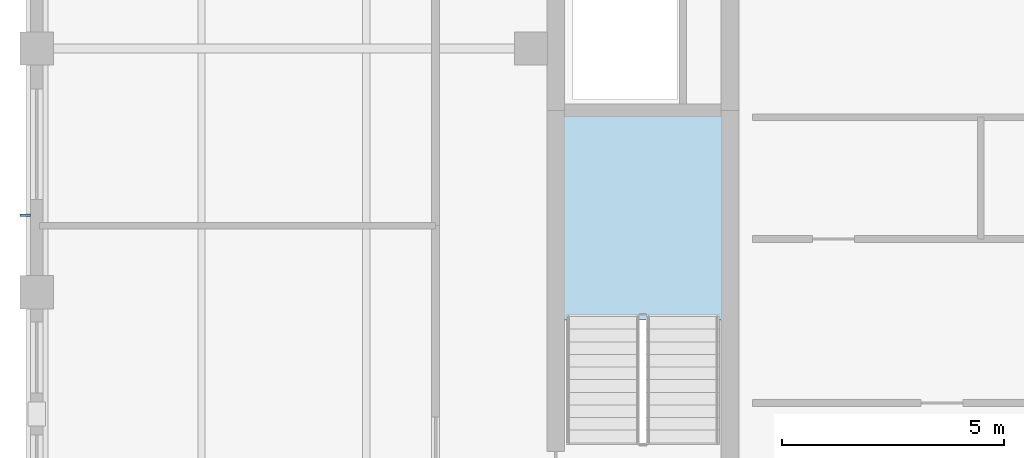
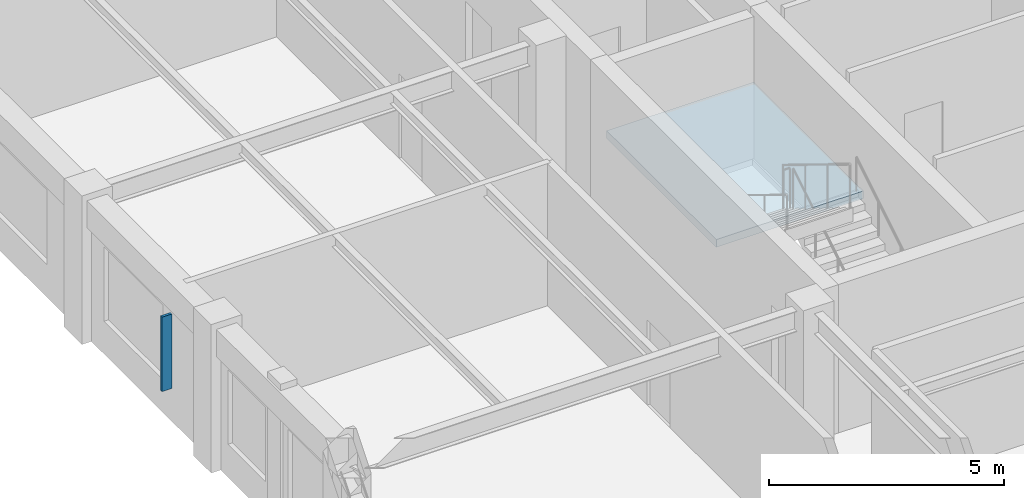
# One storey, part 3 of 10: 1 plate, 1 slab, 1 element without a shape of its own.
"""IFC4 building model written with IfcOpenShell, lengths in metres."""

import ifcopenshell
import ifcopenshell.guid

model = None  # the IFC model being written
_history = None  # IfcOwnerHistory: only IFC2X3 demands one
_inside = {}  # id of a spatial element -> (the spatial element, [elements in it])
_under = {}  # id of a project, library or spatial element -> (it, [spatial elements below it])
_declared = {}  # id of a project -> (the project, [libraries it declares])
_typed = {}  # id of a type object -> (the type object, [elements of that type])
_made_of = {}  # id of a material, layer set ... -> (it, [elements and type objects made of it])


def new_model(schema):
    """Start an empty IFC model of exactly this schema.

    Asked for "IFC4X3", IfcOpenShell would pick the latest addendum, in which some entities
    have other attributes; the version numbers below select the first issue.
    IFC2X3 requires an IfcOwnerHistory on every rooted entity: one is made here for all.
    """
    global model, _history
    if schema == "IFC4X3":
        model = ifcopenshell.file(schema_version=(4, 3, 0, 0))
    else:
        model = ifcopenshell.file(schema=schema)
    _inside.clear()
    _under.clear()
    _declared.clear()
    _typed.clear()
    _made_of.clear()
    _history = None
    if model.schema == "IFC2X3":
        org = make("IfcOrganization", Name="unknown")
        user = make(
            "IfcPersonAndOrganization",
            ThePerson=make("IfcPerson", FamilyName="unknown"),
            TheOrganization=org,
        )
        app = make(
            "IfcApplication",
            ApplicationDeveloper=org,
            Version="unknown",
            ApplicationFullName="unknown",
            ApplicationIdentifier="unknown",
        )
        _history = make(
            "IfcOwnerHistory",
            OwningUser=user,
            OwningApplication=app,
            ChangeAction="ADDED",
            CreationDate=0,
        )
    return model


def make(cls, **values):
    """One entity of the class cls with the attributes given. An attribute that is None is left unset."""
    return model.create_entity(
        cls, **{name: value for name, value in values.items() if value is not None}
    )


def rooted(cls, **values):
    """An entity with a GlobalId (a new one), such as an element, a storey or a relation."""
    return make(cls, GlobalId=ifcopenshell.guid.new(), OwnerHistory=_history, **values)


def si_unit(unit_type, name, prefix=None):
    """IfcSIUnit, for example si_unit("LENGTHUNIT", "METRE", prefix="MILLI")."""
    return make("IfcSIUnit", UnitType=unit_type, Prefix=prefix, Name=name)


def assignment(units):
    """IfcUnitAssignment: the units of a project."""
    return None if units is None else make("IfcUnitAssignment", Units=units)


def point(xyz):
    """IfcCartesianPoint."""
    return None if xyz is None else make("IfcCartesianPoint", Coordinates=xyz)


def direction(xyz):
    """IfcDirection."""
    return None if xyz is None else make("IfcDirection", DirectionRatios=xyz)


def frame(location, z_axis=None, x_axis=None):
    """IfcAxis2Placement3D, a coordinate frame: its origin and axes. An axis left out is left unset."""
    return make(
        "IfcAxis2Placement3D",
        Location=point(location),
        Axis=direction(z_axis),
        RefDirection=direction(x_axis),
    )


def frame_2d(location, x_axis=None):
    """IfcAxis2Placement2D, a coordinate frame in the plane: its origin and x axis."""
    return make(
        "IfcAxis2Placement2D", Location=point(location), RefDirection=direction(x_axis)
    )


def origin():
    """The frame at (0, 0, 0) with its axes left unset."""
    return frame((0.0, 0.0, 0.0))


def origin_2d():
    """The frame at (0, 0) in the plane with its x axis left unset."""
    return frame_2d((0.0, 0.0))


def place(relative_to, where):
    """IfcLocalPlacement: puts the frame where relative to a parent placement (None: the world)."""
    return make(
        "IfcLocalPlacement", PlacementRelTo=relative_to, RelativePlacement=where
    )


def context(
    kind, dimensions, precision=None, world=None, true_north=None, identifier=None
):
    """IfcGeometricRepresentationContext, for example the 3D "Model" context."""
    return make(
        "IfcGeometricRepresentationContext",
        ContextIdentifier=identifier,
        ContextType=kind,
        CoordinateSpaceDimension=dimensions,
        Precision=precision,
        WorldCoordinateSystem=world,
        TrueNorth=true_north,
    )


def subcontext(parent, identifier, kind, view, scale=None):
    """IfcGeometricRepresentationSubContext, for example "Body" below "Model"."""
    return make(
        "IfcGeometricRepresentationSubContext",
        ContextIdentifier=identifier,
        ContextType=kind,
        ParentContext=parent,
        TargetScale=scale,
        TargetView=view,
    )


def project(units=None, contexts=None):
    """IfcProject with its units and contexts."""
    return rooted(
        "IfcProject",
        Name="project",
        RepresentationContexts=contexts,
        UnitsInContext=assignment(units),
    )


def spatial(cls, under=None, at=None, **own):
    """A site, building, storey or space (cls), placed at a placement, below another one or the project."""
    s = rooted(cls, ObjectPlacement=at, **own)
    if under is not None:
        _under.setdefault(under.id(), (under, []))[1].append(s)
    return s


def polyline(points):
    """IfcPolyline through the points."""
    return make("IfcPolyline", Points=[point(p) for p in points])


def profile(cls, at=None, kind="AREA", **sizes):
    """A parametric profile (cls). Its sizes go by their IFC names, for example OverallWidth=200.0."""
    return make(cls, ProfileType=kind, Position=at, **sizes)


def rectangle(**sizes):
    """IfcRectangleProfileDef."""
    return profile("IfcRectangleProfileDef", **sizes)


def outline(outer, holes=None, kind="AREA"):
    """IfcArbitraryClosedProfileDef: a profile drawn as a closed curve; with holes, ...WithVoids."""
    if holes is None:
        return make("IfcArbitraryClosedProfileDef", ProfileType=kind, OuterCurve=outer)
    return make(
        "IfcArbitraryProfileDefWithVoids",
        ProfileType=kind,
        OuterCurve=outer,
        InnerCurves=holes,
    )


def extrude(swept, where, along, depth):
    """IfcExtrudedAreaSolid: the profile swept, set in the frame where, extruded along a direction by depth."""
    return make(
        "IfcExtrudedAreaSolid",
        SweptArea=swept,
        Position=where,
        ExtrudedDirection=direction(along),
        Depth=depth,
    )


def shape(context_of_items, identifier, shape_type, items):
    """IfcShapeRepresentation: the items that make up one representation, for example the "Body"."""
    return make(
        "IfcShapeRepresentation",
        ContextOfItems=context_of_items,
        RepresentationIdentifier=identifier,
        RepresentationType=shape_type,
        Items=items,
    )


def material(Name=None, Category=None):
    """IfcMaterial."""
    return make("IfcMaterial", Name=Name, Category=Category)


def layer(
    of_material, thickness, ventilated=None, Name=None, Category=None, Priority=None
):
    """IfcMaterialLayer: one layer of a wall or slab, of a material (None: an air gap)."""
    return make(
        "IfcMaterialLayer",
        Material=of_material,
        LayerThickness=thickness,
        IsVentilated=ventilated,
        Name=Name,
        Category=Category,
        Priority=Priority,
    )


def layer_set(layers, Name=None):
    """IfcMaterialLayerSet."""
    return make("IfcMaterialLayerSet", MaterialLayers=layers, LayerSetName=Name)


def made_of(thing, what):
    """Note that an element or type object is made of a material, layer set ...; save() writes the relation."""
    if what is not None:
        _made_of.setdefault(what.id(), (what, []))[1].append(thing)
    return thing


def type_object(cls, material=None, **own):
    """A type object (cls), such as IfcWallType, which elements share."""
    return made_of(rooted(cls, **own), material)


def element(
    cls,
    number,
    at=None,
    inside=None,
    cuts=None,
    type_object=None,
    material=None,
    context=None,
    identifier="Body",
    shape_type=None,
    held_by="IfcProductDefinitionShape",
    body=None,
    shapes=None,
    **own,
):
    """One element of the class cls, such as IfcWall. Its Tag is "e" and its number.

    at: its placement. inside: the storey or other place that contains it. cuts: it is an
    opening in that element (IfcRelVoidsElement). A single representation is given by context,
    identifier, shape_type and body (its items); several are given by shapes. held_by: the class
    of the entity that holds the representations. save() writes the other relations.
    """
    e = rooted(cls, Tag="e%d" % number, ObjectPlacement=at, **own)
    if body is not None:
        shapes = [shape(context, identifier, shape_type, body)]
    if shapes is not None:
        e.Representation = make(held_by, Representations=shapes)
    if inside is not None:
        _inside.setdefault(inside.id(), (inside, []))[1].append(e)
    if cuts is not None:
        rooted(
            "IfcRelVoidsElement", RelatingBuildingElement=cuts, RelatedOpeningElement=e
        )
    if type_object is not None:
        _typed.setdefault(type_object.id(), (type_object, []))[1].append(e)
    return made_of(e, material)


def aggregate(whole, parts):
    """IfcRelAggregates: a whole, such as a stair, and the parts it consists of."""
    return rooted("IfcRelAggregates", RelatingObject=whole, RelatedObjects=parts)


def save(model, path):
    """Write the relations noted so far, then the file.

    IfcRelAggregates (storeys below a building ...), IfcRelContainedInSpatialStructure (elements
    in a storey), IfcRelDefinesByType, IfcRelAssociatesMaterial and IfcRelDeclares: one each for
    every whole, place, type object, material and project.
    """
    for whole, parts in _under.values():
        aggregate(whole, parts)
    for where, things in _inside.values():
        rooted(
            "IfcRelContainedInSpatialStructure",
            RelatedElements=things,
            RelatingStructure=where,
        )
    for kind, things in _typed.values():
        rooted("IfcRelDefinesByType", RelatedObjects=things, RelatingType=kind)
    for what, things in _made_of.values():
        rooted("IfcRelAssociatesMaterial", RelatedObjects=things, RelatingMaterial=what)
    for by, libraries in _declared.values():
        rooted("IfcRelDeclares", RelatingContext=by, RelatedDefinitions=libraries)
    model.write(path)


model = new_model("IFC4")

# Units and contexts
model_context = context("Model", 3, precision=1e-05, world=origin(), true_north=direction((0.0, 1.0)))
body_context = subcontext(model_context, "Body", "Model", "MODEL_VIEW")
ifc_project = project(units=[si_unit("LENGTHUNIT", "METRE"), si_unit("AREAUNIT", "SQUARE_METRE"), si_unit("VOLUMEUNIT", "CUBIC_METRE"), si_unit("PLANEANGLEUNIT", "RADIAN"), si_unit("MASSUNIT", "GRAM", prefix="KILO")], contexts=[model_context])

# Site, building, storey
site_placement = place(None, origin())
site = spatial("IfcSite", under=ifc_project, at=site_placement, CompositionType="ELEMENT")
building_placement = place(site_placement, origin())
building = spatial("IfcBuilding", under=site, at=building_placement, Name="Nhamokura Convention Tower", CompositionType="ELEMENT")
storey_placement = place(building_placement, frame((0.0, 0.0, 277.550048828125)))
storey = spatial("IfcBuildingStorey", under=building, at=storey_placement, Name="L68", CompositionType="ELEMENT", Elevation=277.550048828125)

# Plate
ifc_material_1 = material(Name="Anodised bronze aluminium AA6063-T6", Category="aluminium")
plate_type = type_object("IfcPlateType", Name="BronzeSolarFin_3", PredefinedType="USERDEFINED", material=ifc_material_1)
plate_placement = place(storey_placement, frame((9.239990234375, 28.237548828125, 0.849853515625), z_axis=(0.0, 0.0, 1.0), x_axis=(1.0, 0.0, 0.0)))
element("IfcPlate", 1, at=plate_placement, inside=storey, type_object=plate_type, Name="L68 Bronze Solar Shading Fin WEST 2", ObjectType="SOLAR_FIN", PredefinedType="USERDEFINED", context=body_context, shape_type="SweptSolid", body=[
    extrude(rectangle(XDim=0.239990234375, YDim=0.06005859375, at=origin_2d()), origin(), (0.0, 0.0, 1.0), 1.93505859375),
])

# Stair, slab
ifc_material_2 = material(Name="Concrete C40/50", Category="concrete")
stair_type = type_object("IfcStairType", Name="TowerCoreStair_1650", PredefinedType="HALF_TURN_STAIR", material=ifc_material_2)
stair_placement = place(storey_placement, origin())
stair = element("IfcStair", 2, at=stair_placement, inside=storey, type_object=stair_type, Name="L68 West Core Smokeproof Stair ST-01", PredefinedType="HALF_TURN_STAIR")
ifc_material_3 = material(Name="Concrete C40/50", Category="concrete")
ifc_layer = layer(ifc_material_3, 0.199951171875)
ifc_layer_set = layer_set([ifc_layer], Name="StairLandingSlab_200")
slab_type = type_object("IfcSlabType", Name="StairLandingSlab_200", PredefinedType="LANDING", material=ifc_layer_set)
slab_placement = place(storey_placement, frame((0.0, 0.0, 1.724853515625)))
slab = element("IfcSlab", 3, at=slab_placement, type_object=slab_type, Name="ST-01 landing 1", PredefinedType="LANDING", context=body_context, shape_type="SweptSolid", body=[
    extrude(outline(polyline([(24.97998046875, 25.8701171875), (24.97998046875, 30.530029296875), (21.3701171875, 30.530029296875), (21.3701171875, 25.8701171875), (24.97998046875, 25.8701171875)])), origin(), (0.0, 0.0, 1.0), 0.2001953125),
])
aggregate(stair, [slab])

save(model, "model.ifc")
